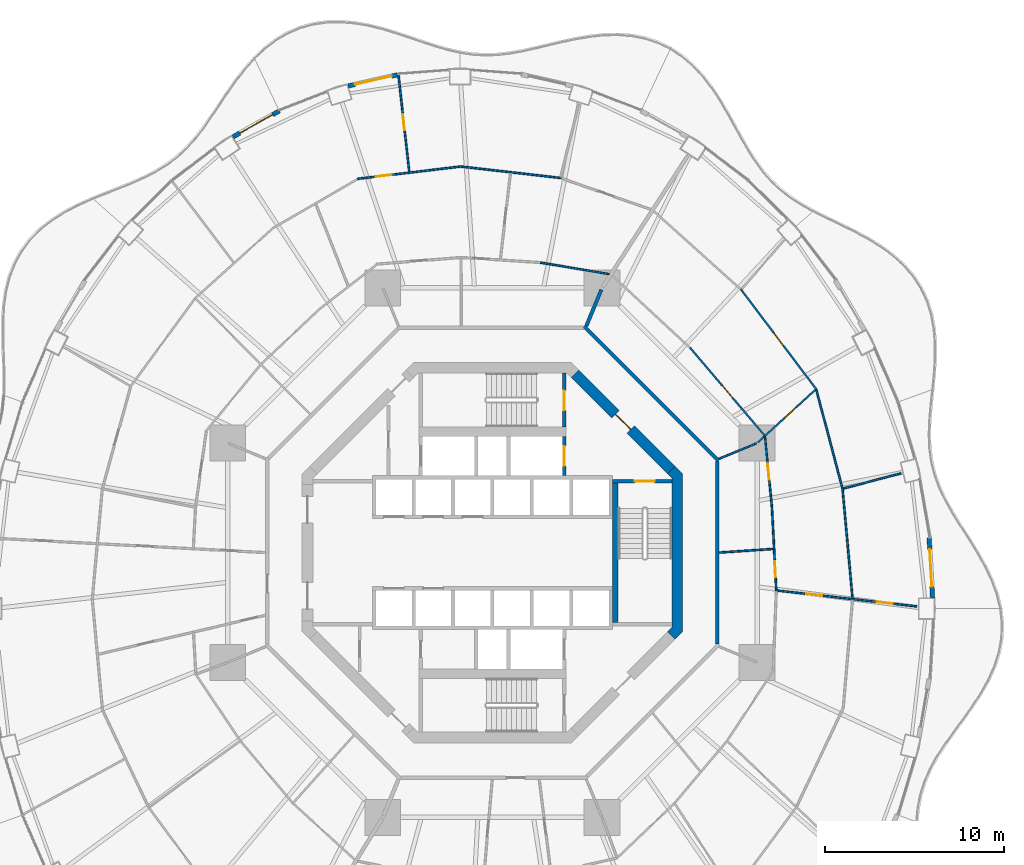
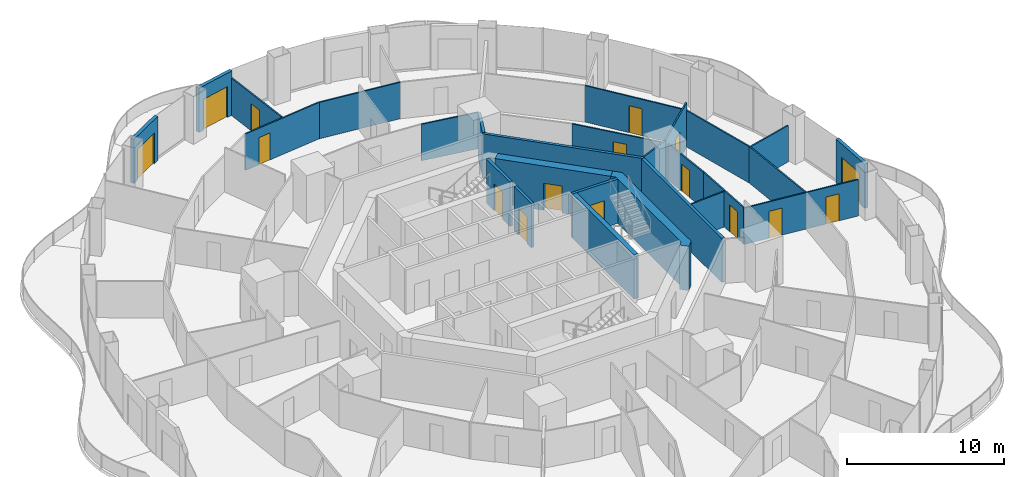
# One storey, part 15 of 19: 27 walls, 16 doors, 16 openings.
"""IFC4 building model written with IfcOpenShell, lengths in metres."""

from ifc_helpers import new_model, si_unit, direction, frame, frame_2d, origin, place, context, subcontext, project, spatial, polyline, rectangle, outline, extrude, material, layer, layer_set, type_object, element, fill, save


model = new_model("IFC4")

# Units and contexts
model_context = context("Model", 3, precision=1e-05, world=origin(), true_north=direction((0.0, 1.0)))
body_context = subcontext(model_context, "Body", "Model", "MODEL_VIEW")
ifc_project = project(units=[si_unit("LENGTHUNIT", "METRE"), si_unit("AREAUNIT", "SQUARE_METRE"), si_unit("VOLUMEUNIT", "CUBIC_METRE"), si_unit("PLANEANGLEUNIT", "RADIAN"), si_unit("MASSUNIT", "GRAM", prefix="KILO")], contexts=[model_context])

# Site, building, storey
site_placement = place(None, origin())
site = spatial("IfcSite", under=ifc_project, at=site_placement, CompositionType="ELEMENT")
building_placement = place(site_placement, origin())
building = spatial("IfcBuilding", under=site, at=building_placement, Name="Nagisa Residences", CompositionType="ELEMENT")
storey_placement = place(building_placement, frame((0.0, 0.0, 149.199951171875)))
storey = spatial("IfcBuildingStorey", under=building, at=storey_placement, Name="L37", CompositionType="ELEMENT", Elevation=149.199951171875)

# Walls
ifc_material_1 = material(Name="Gypsum board on steel studs", Category="steel")
ifc_layer_1 = layer(ifc_material_1, 0.199951171875)
ifc_layer_set_1 = layer_set([ifc_layer_1], Name="Apartment compartment wall EI60 200")
wall_type_1 = type_object("IfcWallType", Name="Apartment compartment wall EI60 200", PredefinedType="PARTITIONING", material=ifc_layer_set_1)
wall_1_placement = place(storey_placement, frame((5.24267578125, 12.6572265625, 0.0), z_axis=(0.0, 0.0, 1.0), x_axis=(0.38273085373, 0.923859888513, 0.0)))
element("IfcWall", 1, at=wall_1_placement, inside=storey, type_object=wall_type_1, Name="wall:L37:u00", PredefinedType="PARTITIONING", context=body_context, shape_type="SweptSolid", body=[
    extrude(rectangle(XDim=2.199462890625, YDim=0.199951171875, at=frame_2d((1.099609375, 0.0))), origin(), (0.0, 0.0, 1.0), 3.43994140625),
])
ifc_material_2 = material(Name="Gypsum board on steel studs", Category="steel")
ifc_layer_2 = layer(ifc_material_2, 0.199951171875)
ifc_layer_set_2 = layer_set([ifc_layer_2], Name="Apartment entry wall EI60 200")
wall_type_2 = type_object("IfcWallType", Name="Apartment entry wall EI60 200", PredefinedType="PARTITIONING", material=ifc_layer_set_2)
wall_2_placement = place(storey_placement, frame((12.564697265625, -5.1044921875, 0.0), z_axis=(0.0, 0.0, 1.0), x_axis=(0.0, 1.0, 0.0)))
element("IfcWall", 2, at=wall_2_placement, inside=storey, type_object=wall_type_2, Name="wall:L37:u04", PredefinedType="PARTITIONING", context=body_context, shape_type="SweptSolid", body=[
    extrude(rectangle(XDim=10.208984375, YDim=0.199951171875, at=frame_2d((5.1044921875, 0.0))), origin(), (0.0, 0.0, 1.0), 3.43994140625),
])
wall_3_placement = place(storey_placement, frame((12.635498046875, 5.1337890625, 0.0), z_axis=(0.0, 0.0, 1.0), x_axis=(-0.707106781187, 0.707106781187, 0.0)))
element("IfcWall", 3, at=wall_3_placement, inside=storey, type_object=wall_type_2, Name="wall:L37:u05", PredefinedType="PARTITIONING", context=body_context, shape_type="SweptSolid", body=[
    extrude(rectangle(XDim=10.609130859375, YDim=0.199951171875, at=frame_2d((5.3046875, 0.0))), origin(), (0.0, 0.0, 1.0), 3.43994140625),
])

# Wall, openings, doors
ifc_material_3 = material(Name="Gypsum board on steel studs", Category="steel")
ifc_layer_3 = layer(ifc_material_3, 0.10009765625)
ifc_layer_set_3 = layer_set([ifc_layer_3], Name="Apartment partition 100")
wall_type_3 = type_object("IfcWallType", Name="Apartment partition 100", PredefinedType="PARTITIONING", material=ifc_layer_set_3)
wall_4_placement = place(storey_placement, frame((15.801025390625, -2.1025390625, 0.0), z_axis=(0.0, 0.0, 1.0), x_axis=(0.993607212763, -0.112892456544, 0.0)))
wall_4 = element("IfcWall", 4, at=wall_4_placement, inside=storey, type_object=wall_type_3, Name="wall:L37:u12", PredefinedType="PARTITIONING", context=body_context, shape_type="SweptSolid", body=[
    extrude(rectangle(XDim=7.947509765625, YDim=0.10009765625, at=frame_2d((3.9736328125, 0.0))), origin(), (0.0, 0.0, 1.0), 2.828125),
])
opening_1_placement = place(wall_4_placement, frame((1.743408203125, 0.0, 0.0)))
opening_1 = element("IfcOpeningElement", 5, at=opening_1_placement, cuts=wall_4, Name="Opening L37-U09", PredefinedType="OPENING", context=body_context, shape_type="SweptSolid", body=[
    extrude(rectangle(XDim=0.89990234375, YDim=2.10009765625, at=frame_2d((0.449951171875, 1.050048828125))), frame((0.0, 0.06005859375, 0.0), z_axis=(0.0, -1.0, 0.0), x_axis=(1.0, 0.0, 0.0)), (0.0, 0.0, 1.0), 0.1201171875),
])
opening_2_placement = place(wall_4_placement, frame((5.6923828125, 0.0, 0.0)))
opening_2 = element("IfcOpeningElement", 6, at=opening_2_placement, cuts=wall_4, Name="Opening L37-U17", PredefinedType="OPENING", context=body_context, shape_type="SweptSolid", body=[
    extrude(rectangle(XDim=0.89990234375, YDim=2.10009765625, at=frame_2d((0.449951171875, 1.050048828125))), frame((0.0, 0.06005859375, 0.0), z_axis=(0.0, -1.0, 0.0), x_axis=(1.0, 0.0, 0.0)), (0.0, 0.0, 1.0), 0.1201171875),
])
ifc_material_4 = material(Name="Timber door set", Category="wood")
door_type_1 = type_object("IfcDoorType", Name="Apartment door 900x2100", OperationType="NOTDEFINED", PredefinedType="DOOR", material=ifc_material_4)
door_1_placement = place(opening_1_placement, origin())
door_1 = element("IfcDoor", 7, at=door_1_placement, inside=storey, type_object=door_type_1, Name="Door to kitchen, Apartment 37A", OperationType="SINGLE_SWING_LEFT", OverallHeight=2.10009765625, OverallWidth=0.89990234375, PredefinedType="DOOR", context=body_context, shape_type="SweptSolid", body=[
    extrude(rectangle(XDim=0.89990234375, YDim=2.10009765625, at=frame_2d((0.449951171875, 1.050048828125))), frame((0.0, 0.02490234375, 0.0), z_axis=(0.0, -1.0, 0.0), x_axis=(1.0, 0.0, 0.0)), (0.0, 0.0, 1.0), 0.050048828125),
])
fill(opening_1, door_1)
door_2_placement = place(opening_2_placement, origin())
door_2 = element("IfcDoor", 8, at=door_2_placement, inside=storey, type_object=door_type_1, Name="Door to bedroom, Apartment 37A", OperationType="SINGLE_SWING_LEFT", OverallHeight=2.10009765625, OverallWidth=0.89990234375, PredefinedType="DOOR", context=body_context, shape_type="SweptSolid", body=[
    extrude(rectangle(XDim=0.89990234375, YDim=2.10009765625, at=frame_2d((0.449951171875, 1.050048828125))), frame((0.0, 0.02490234375, 0.0), z_axis=(0.0, -1.0, 0.0), x_axis=(1.0, 0.0, 0.0)), (0.0, 0.0, 1.0), 0.050048828125),
])
fill(opening_2, door_2)

# Wall, opening, door
wall_5_placement = place(storey_placement, frame((15.84814453125, -2.058349609375, 0.0), z_axis=(0.0, 0.0, 1.0), x_axis=(-0.052509224895, 0.998620439056, 0.0)))
wall_5 = element("IfcWall", 9, at=wall_5_placement, inside=storey, type_object=wall_type_3, Name="wall:L37:u13", PredefinedType="PARTITIONING", context=body_context, shape_type="SweptSolid", body=[
    extrude(rectangle(XDim=4.6494140625, YDim=0.10009765625, at=frame_2d((2.32470703125, 0.0))), origin(), (0.0, 0.0, 1.0), 2.828125),
])
opening_3_placement = place(wall_5_placement, frame((0.687255859375, 0.0, 0.0)))
opening_3 = element("IfcOpeningElement", 10, at=opening_3_placement, cuts=wall_5, Name="Opening L37-U22", PredefinedType="OPENING", context=body_context, shape_type="SweptSolid", body=[
    extrude(rectangle(XDim=0.89990234375, YDim=2.10009765625, at=frame_2d((0.449951171875, 1.050048828125))), frame((0.0, 0.06005859375, 0.0), z_axis=(0.0, -1.0, 0.0), x_axis=(1.0, 0.0, 0.0)), (0.0, 0.0, 1.0), 0.1201171875),
])
door_3_placement = place(opening_3_placement, origin())
door_3 = element("IfcDoor", 11, at=door_3_placement, inside=storey, type_object=door_type_1, Name="Door to laundry, Apartment 37A", OperationType="SINGLE_SWING_RIGHT", OverallHeight=2.10009765625, OverallWidth=0.89990234375, PredefinedType="DOOR", context=body_context, shape_type="SweptSolid", body=[
    extrude(rectangle(XDim=0.89990234375, YDim=2.10009765625, at=frame_2d((0.449951171875, 1.050048828125))), frame((0.0, 0.02490234375, 0.0), z_axis=(0.0, -1.0, 0.0), x_axis=(1.0, 0.0, 0.0)), (0.0, 0.0, 1.0), 0.050048828125),
])
fill(opening_3, door_3)

# Walls
wall_6_placement = place(storey_placement, frame((20.105712890625, -2.54248046875, 0.0), z_axis=(0.0, 0.0, 1.0), x_axis=(-0.090567755363, 0.995890296011, 0.0)))
element("IfcWall", 12, at=wall_6_placement, inside=storey, type_object=wall_type_3, Name="wall:L37:u15", PredefinedType="PARTITIONING", context=body_context, shape_type="SweptSolid", body=[
    extrude(rectangle(XDim=6.189208984375, YDim=0.10009765625, at=frame_2d((3.0947265625, 0.0))), origin(), (0.0, 0.0, 1.0), 2.828125),
])
wall_7_placement = place(storey_placement, frame((12.66455078125, 0.0068359375, 0.0), z_axis=(0.0, 0.0, 1.0), x_axis=(0.997736982365, 0.067237742534, 0.0)))
element("IfcWall", 13, at=wall_7_placement, inside=storey, type_object=wall_type_3, Name="wall:L37:u17", PredefinedType="PARTITIONING", context=body_context, shape_type="SweptSolid", body=[
    extrude(rectangle(XDim=3.02099609375, YDim=0.10009765625, at=frame_2d((1.510498046875, 0.0))), origin(), (0.0, 0.0, 1.0), 2.756103515625),
])

# Wall, opening, door
wall_8_placement = place(storey_placement, frame((15.601806640625, 2.58447265625, 0.0), z_axis=(0.0, 0.0, 1.0), x_axis=(-0.097207196705, 0.995264166394, 0.0)))
wall_8 = element("IfcWall", 14, at=wall_8_placement, inside=storey, type_object=wall_type_3, Name="wall:L37:u18", PredefinedType="PARTITIONING", context=body_context, shape_type="SweptSolid", body=[
    extrude(rectangle(XDim=3.905517578125, YDim=0.10009765625, at=frame_2d((1.95263671875, 0.0))), origin(), (0.0, 0.0, 1.0), 2.828125),
])
opening_4_placement = place(wall_8_placement, frame((1.502685546875, 0.0, 0.0)))
opening_4 = element("IfcOpeningElement", 15, at=opening_4_placement, cuts=wall_8, Name="Opening L37-U23", PredefinedType="OPENING", context=body_context, shape_type="SweptSolid", body=[
    extrude(rectangle(XDim=0.89990234375, YDim=2.10009765625, at=frame_2d((0.449951171875, 1.050048828125))), frame((0.0, 0.06005859375, 0.0), z_axis=(0.0, -1.0, 0.0), x_axis=(1.0, 0.0, 0.0)), (0.0, 0.0, 1.0), 0.1201171875),
])
door_4_placement = place(opening_4_placement, origin())
door_4 = element("IfcDoor", 16, at=door_4_placement, inside=storey, type_object=door_type_1, Name="Door to store, Apartment 37A", OperationType="SINGLE_SWING_LEFT", OverallHeight=2.10009765625, OverallWidth=0.89990234375, PredefinedType="DOOR", context=body_context, shape_type="SweptSolid", body=[
    extrude(rectangle(XDim=0.89990234375, YDim=2.10009765625, at=frame_2d((0.449951171875, 1.050048828125))), frame((0.0, 0.02490234375, 0.0), z_axis=(0.0, -1.0, 0.0), x_axis=(1.0, 0.0, 0.0)), (0.0, 0.0, 1.0), 0.050048828125),
])
fill(opening_4, door_4)

# Walls
wall_9_placement = place(storey_placement, frame((19.59814453125, 3.584228515625, 0.0), z_axis=(0.0, 0.0, 1.0), x_axis=(0.967108750962, 0.254363251695, 0.0)))
element("IfcWall", 17, at=wall_9_placement, inside=storey, type_object=wall_type_3, Name="wall:L37:u19", PredefinedType="PARTITIONING", context=body_context, shape_type="SweptSolid", body=[
    extrude(rectangle(XDim=3.32666015625, YDim=0.10009765625, at=frame_2d((1.663330078125, 0.0))), origin(), (0.0, 0.0, 1.0), 2.828125),
])
wall_10_placement = place(storey_placement, frame((19.536865234375, 3.619873046875, 0.0), z_axis=(0.0, 0.0, 1.0), x_axis=(-0.255892560316, 0.966705227862, 0.0)))
element("IfcWall", 18, at=wall_10_placement, inside=storey, type_object=wall_type_3, Name="wall:L37:u20", PredefinedType="PARTITIONING", context=body_context, shape_type="SweptSolid", body=[
    extrude(rectangle(XDim=5.65869140625, YDim=0.10009765625, at=frame_2d((2.829345703125, 0.0))), origin(), (0.0, 0.0, 1.0), 2.828125),
])
wall_11_placement = place(storey_placement, frame((12.6572265625, 5.24267578125, 0.0), z_axis=(0.0, 0.0, 1.0), x_axis=(0.923848837015, 0.382757529444, 0.0)))
element("IfcWall", 19, at=wall_11_placement, inside=storey, type_object=wall_type_3, Name="wall:L37:u21", PredefinedType="PARTITIONING", context=body_context, shape_type="SweptSolid", body=[
    extrude(rectangle(XDim=2.249755859375, YDim=0.10009765625, at=frame_2d((1.125, 0.0))), origin(), (0.0, 0.0, 1.0), 3.43994140625),
])

# Wall, opening, door
wall_12_placement = place(storey_placement, frame((14.81884765625, 6.15673828125, 0.0), z_axis=(0.0, 0.0, 1.0), x_axis=(0.737620514432, 0.675215503887, 0.0)))
wall_12 = element("IfcWall", 20, at=wall_12_placement, inside=storey, type_object=wall_type_3, Name="wall:L37:u22", PredefinedType="PARTITIONING", context=body_context, shape_type="SweptSolid", body=[
    extrude(rectangle(XDim=4.365966796875, YDim=0.10009765625, at=frame_2d((2.18310546875, 0.0))), origin(), (0.0, 0.0, 1.0), 3.43994140625),
])
opening_5_placement = place(wall_12_placement, frame((2.0029296875, 0.0, 0.0)))
opening_5 = element("IfcOpeningElement", 21, at=opening_5_placement, cuts=wall_12, Name="Opening L37-U10", PredefinedType="OPENING", context=body_context, shape_type="SweptSolid", body=[
    extrude(rectangle(XDim=0.89990234375, YDim=2.10009765625, at=frame_2d((0.449951171875, 1.050048828125))), frame((0.0, 0.06005859375, 0.0), z_axis=(0.0, -1.0, 0.0), x_axis=(1.0, 0.0, 0.0)), (0.0, 0.0, 1.0), 0.1201171875),
])
door_5_placement = place(opening_5_placement, origin())
door_5 = element("IfcDoor", 22, at=door_5_placement, inside=storey, type_object=door_type_1, Name="Door to family room, Apartment 37A", OperationType="SINGLE_SWING_RIGHT", OverallHeight=2.10009765625, OverallWidth=0.89990234375, PredefinedType="DOOR", context=body_context, shape_type="SweptSolid", body=[
    extrude(rectangle(XDim=0.89990234375, YDim=2.10009765625, at=frame_2d((0.449951171875, 1.050048828125))), frame((0.0, 0.02490234375, 0.0), z_axis=(0.0, -1.0, 0.0), x_axis=(1.0, 0.0, 0.0)), (0.0, 0.0, 1.0), 0.050048828125),
])
fill(opening_5, door_5)

wall_13_placement = place(storey_placement, frame((15.184814453125, 6.559326171875, 0.0), z_axis=(0.0, 0.0, 1.0), x_axis=(-0.647361044962, 0.762183493304, 0.0)))
wall_13 = element("IfcWall", 23, at=wall_13_placement, inside=storey, type_object=wall_type_3, Name="wall:L37:u23", PredefinedType="PARTITIONING", context=body_context, shape_type="SweptSolid", body=[
    extrude(rectangle(XDim=6.412841796875, YDim=0.10009765625, at=frame_2d((3.20654296875, 0.0))), origin(), (0.0, 0.0, 1.0), 2.828125),
])
opening_6_placement = place(wall_13_placement, frame((2.731201171875, 0.0, 0.0)))
opening_6 = element("IfcOpeningElement", 24, at=opening_6_placement, cuts=wall_13, Name="Opening L37-U24", PredefinedType="OPENING", context=body_context, shape_type="SweptSolid", body=[
    extrude(rectangle(XDim=0.89990234375, YDim=2.10009765625, at=frame_2d((0.449951171875, 1.050048828125))), frame((0.0, 0.06005859375, 0.0), z_axis=(0.0, -1.0, 0.0), x_axis=(1.0, 0.0, 0.0)), (0.0, 0.0, 1.0), 0.1201171875),
])
door_6_placement = place(opening_6_placement, origin())
door_6 = element("IfcDoor", 25, at=door_6_placement, inside=storey, type_object=door_type_1, Name="Door to laundry, Apartment 37A", OperationType="SINGLE_SWING_RIGHT", OverallHeight=2.10009765625, OverallWidth=0.89990234375, PredefinedType="DOOR", context=body_context, shape_type="SweptSolid", body=[
    extrude(rectangle(XDim=0.89990234375, YDim=2.10009765625, at=frame_2d((0.449951171875, 1.050048828125))), frame((0.0, 0.02490234375, 0.0), z_axis=(0.0, -1.0, 0.0), x_axis=(1.0, 0.0, 0.0)), (0.0, 0.0, 1.0), 0.050048828125),
])
fill(opening_6, door_6)

wall_14_placement = place(storey_placement, frame((18.106201171875, 9.098388671875, 0.0), z_axis=(0.0, 0.0, 1.0), x_axis=(-0.602398572907, 0.798195439325, 0.0)))
wall_14 = element("IfcWall", 26, at=wall_14_placement, inside=storey, type_object=wall_type_3, Name="wall:L37:u24", PredefinedType="PARTITIONING", context=body_context, shape_type="SweptSolid", body=[
    extrude(rectangle(XDim=7.043701171875, YDim=0.10009765625, at=frame_2d((3.52197265625, 0.0))), origin(), (0.0, 0.0, 1.0), 2.828125),
])
opening_7_placement = place(wall_14_placement, frame((3.072021484375, 0.0, 0.0)))
opening_7 = element("IfcOpeningElement", 27, at=opening_7_placement, cuts=wall_14, Name="Opening L37-U18", PredefinedType="OPENING", context=body_context, shape_type="SweptSolid", body=[
    extrude(rectangle(XDim=0.89990234375, YDim=2.10009765625, at=frame_2d((0.449951171875, 1.050048828125))), frame((0.0, 0.06005859375, 0.0), z_axis=(0.0, -1.0, 0.0), x_axis=(1.0, 0.0, 0.0)), (0.0, 0.0, 1.0), 0.1201171875),
])
door_7_placement = place(opening_7_placement, frame((0.89990234375, 0.0, 0.0), x_axis=(-1.0, 0.0, 0.0)))
door_7 = element("IfcDoor", 28, at=door_7_placement, inside=storey, type_object=door_type_1, Name="Door to living room, Apartment 37A", OperationType="SINGLE_SWING_LEFT", OverallHeight=2.10009765625, OverallWidth=0.89990234375, PredefinedType="DOOR", context=body_context, shape_type="SweptSolid", body=[
    extrude(rectangle(XDim=0.89990234375, YDim=2.10009765625, at=frame_2d((0.449951171875, 1.050048828125))), frame((0.0, 0.02490234375, 0.0), z_axis=(0.0, -1.0, 0.0), x_axis=(1.0, 0.0, 0.0)), (0.0, 0.0, 1.0), 0.050048828125),
])
fill(opening_7, door_7)

# Walls
wall_15_placement = place(storey_placement, frame((6.5146484375, 15.5556640625, 0.0), z_axis=(0.0, 0.0, 1.0), x_axis=(-0.986271328884, 0.16513287323, 0.0)))
element("IfcWall", 29, at=wall_15_placement, inside=storey, type_object=wall_type_3, Name="wall:L37:u28", PredefinedType="PARTITIONING", context=body_context, shape_type="SweptSolid", body=[
    extrude(rectangle(XDim=3.8837890625, YDim=0.10009765625, at=frame_2d((1.94189453125, 0.0))), origin(), (0.0, 0.0, 1.0), 2.828125),
])
wall_16_placement = place(storey_placement, frame((3.850830078125, 20.9189453125, 0.0), z_axis=(0.0, 0.0, 1.0), x_axis=(-0.993519908136, 0.11365822512, 0.0)))
element("IfcWall", 30, at=wall_16_placement, inside=storey, type_object=wall_type_3, Name="wall:L37:u32", PredefinedType="PARTITIONING", context=body_context, shape_type="SweptSolid", body=[
    extrude(rectangle(XDim=5.61279296875, YDim=0.10009765625, at=frame_2d((2.806396484375, 0.0))), origin(), (0.0, 0.0, 1.0), 2.828125),
])

# Wall, opening, door
wall_17_placement = place(storey_placement, frame((-1.7255859375, 21.568359375, 0.0), z_axis=(0.0, 0.0, 1.0), x_axis=(-0.992919121049, -0.11879233584, 0.0)))
wall_17 = element("IfcWall", 31, at=wall_17_placement, inside=storey, type_object=wall_type_3, Name="wall:L37:u36", PredefinedType="PARTITIONING", context=body_context, shape_type="SweptSolid", body=[
    extrude(rectangle(XDim=5.865478515625, YDim=0.10009765625, at=frame_2d((2.9326171875, 0.0))), origin(), (0.0, 0.0, 1.0), 2.828125),
])
opening_8_placement = place(wall_17_placement, frame((3.924072265625, 0.0, 0.0)))
opening_8 = element("IfcOpeningElement", 32, at=opening_8_placement, cuts=wall_17, Name="Opening L37-U43", PredefinedType="OPENING", context=body_context, shape_type="SweptSolid", body=[
    extrude(rectangle(XDim=0.89990234375, YDim=2.10009765625, at=frame_2d((0.449951171875, 1.050048828125))), frame((0.0, 0.06005859375, 0.0), z_axis=(0.0, -1.0, 0.0), x_axis=(1.0, 0.0, 0.0)), (0.0, 0.0, 1.0), 0.1201171875),
])
door_8_placement = place(opening_8_placement, origin())
door_8 = element("IfcDoor", 33, at=door_8_placement, inside=storey, type_object=door_type_1, Name="Door to family room, Apartment 37B", OperationType="SINGLE_SWING_LEFT", OverallHeight=2.10009765625, OverallWidth=0.89990234375, PredefinedType="DOOR", context=body_context, shape_type="SweptSolid", body=[
    extrude(rectangle(XDim=0.89990234375, YDim=2.10009765625, at=frame_2d((0.449951171875, 1.050048828125))), frame((0.0, 0.02490234375, 0.0), z_axis=(0.0, -1.0, 0.0), x_axis=(1.0, 0.0, 0.0)), (0.0, 0.0, 1.0), 0.050048828125),
])
fill(opening_8, door_8)

wall_18_placement = place(storey_placement, frame((-4.64306640625, 21.269775390625, 0.0), z_axis=(0.0, 0.0, 1.0), x_axis=(-0.11110818383, 0.993808317276, 0.0)))
wall_18 = element("IfcWall", 34, at=wall_18_placement, inside=storey, type_object=wall_type_3, Name="wall:L37:u37", PredefinedType="PARTITIONING", context=body_context, shape_type="SweptSolid", body=[
    extrude(rectangle(XDim=5.5439453125, YDim=0.10009765625, at=frame_2d((2.77197265625, 0.0))), origin(), (0.0, 0.0, 1.0), 2.905029296875),
])
opening_9_placement = place(wall_18_placement, frame((2.322021484375, 0.0, 0.0)))
opening_9 = element("IfcOpeningElement", 35, at=opening_9_placement, cuts=wall_18, Name="Opening L37-U44", PredefinedType="OPENING", context=body_context, shape_type="SweptSolid", body=[
    extrude(rectangle(XDim=0.89990234375, YDim=2.10009765625, at=frame_2d((0.449951171875, 1.050048828125))), frame((0.0, 0.06005859375, 0.0), z_axis=(0.0, -1.0, 0.0), x_axis=(1.0, 0.0, 0.0)), (0.0, 0.0, 1.0), 0.1201171875),
])
door_9_placement = place(opening_9_placement, frame((0.89990234375, 0.0, 0.0), x_axis=(-1.0, 0.0, 0.0)))
door_9 = element("IfcDoor", 36, at=door_9_placement, inside=storey, type_object=door_type_1, Name="Door to master bedroom, Apartment 37B", OperationType="SINGLE_SWING_LEFT", OverallHeight=2.10009765625, OverallWidth=0.89990234375, PredefinedType="DOOR", context=body_context, shape_type="SweptSolid", body=[
    extrude(rectangle(XDim=0.89990234375, YDim=2.10009765625, at=frame_2d((0.449951171875, 1.050048828125))), frame((0.0, 0.02490234375, 0.0), z_axis=(0.0, -1.0, 0.0), x_axis=(1.0, 0.0, 0.0)), (0.0, 0.0, 1.0), 0.050048828125),
])
fill(opening_9, door_9)

ifc_material_5 = material(Name="Precast concrete C40/50", Category="concrete")
ifc_layer_4 = layer(ifc_material_5, 0.25)
ifc_layer_set_4 = layer_set([ifc_layer_4], Name="BALCONY DOOR WALL 250")
wall_type_4 = type_object("IfcWallType", Name="BALCONY DOOR WALL 250", PredefinedType="SOLIDWALL", material=ifc_layer_set_4)
wall_19_placement = place(storey_placement, frame((24.38330078125, 0.81640625, 0.0), z_axis=(0.0, 0.0, 1.0), x_axis=(0.05746514539, -0.998347513176, 0.0)))
wall_19 = element("IfcWall", 37, at=wall_19_placement, inside=storey, type_object=wall_type_4, Name="wall:L37:bay00", PredefinedType="SOLIDWALL", context=body_context, shape_type="SweptSolid", body=[
    extrude(rectangle(XDim=3.347900390625, YDim=0.25, at=frame_2d((1.673828125, 0.0))), origin(), (0.0, 0.0, 1.0), 3.43994140625),
])
opening_10_placement = place(wall_19_placement, frame((0.623779296875, 0.0, 0.0)))
opening_10 = element("IfcOpeningElement", 38, at=opening_10_placement, cuts=wall_19, Name="Opening BD-L37-01", PredefinedType="OPENING", context=body_context, shape_type="SweptSolid", body=[
    extrude(rectangle(XDim=2.10009765625, YDim=2.39990234375, at=frame_2d((1.050048828125, 1.199951171875))), frame((0.0, 0.135009765625, 0.0), z_axis=(0.0, -1.0, 0.0), x_axis=(1.0, 0.0, 0.0)), (0.0, 0.0, 1.0), 0.27001953125),
])
ifc_material_6 = material(Name="Aluminium and clear glass", Category="aluminium")
door_type_2 = type_object("IfcDoorType", Name="BALCONY SLIDING DOOR 2100x2400", OperationType="SLIDING_TO_LEFT", PredefinedType="DOOR", material=ifc_material_6)
door_10_placement = place(opening_10_placement, origin())
door_10 = element("IfcDoor", 39, at=door_10_placement, inside=storey, type_object=door_type_2, Name="door:L37:bay00", OperationType="SLIDING_TO_LEFT", OverallHeight=2.39990234375, OverallWidth=2.10009765625, PredefinedType="DOOR", context=body_context, shape_type="SweptSolid", body=[
    extrude(rectangle(XDim=2.10009765625, YDim=2.39990234375, at=frame_2d((1.050048828125, 1.199951171875))), frame((0.0, 0.02490234375, 0.0), z_axis=(0.0, -1.0, 0.0), x_axis=(1.0, 0.0, 0.0)), (0.0, 0.0, 1.0), 0.050048828125),
])
fill(opening_10, door_10)

wall_20_placement = place(storey_placement, frame((-8.054931640625, 26.05908203125, 0.0), z_axis=(0.0, 0.0, 1.0), x_axis=(0.975339035722, 0.220711951186, 0.0)))
wall_20 = element("IfcWall", 40, at=wall_20_placement, inside=storey, type_object=wall_type_4, Name="wall:L37:bay13", PredefinedType="SOLIDWALL", context=body_context, shape_type="SweptSolid", body=[
    extrude(rectangle(XDim=2.890380859375, YDim=0.25, at=frame_2d((1.4453125, 0.0))), origin(), (0.0, 0.0, 1.0), 3.43994140625),
])
opening_11_placement = place(wall_20_placement, frame((0.395263671875, 0.0, 0.0)))
opening_11 = element("IfcOpeningElement", 41, at=opening_11_placement, cuts=wall_20, Name="Opening BD-L37-05", PredefinedType="OPENING", context=body_context, shape_type="SweptSolid", body=[
    extrude(rectangle(XDim=2.10009765625, YDim=2.39990234375, at=frame_2d((1.050048828125, 1.199951171875))), frame((0.0, 0.135009765625, 0.0), z_axis=(0.0, -1.0, 0.0), x_axis=(1.0, 0.0, 0.0)), (0.0, 0.0, 1.0), 0.27001953125),
])
door_11_placement = place(opening_11_placement, origin())
door_11 = element("IfcDoor", 42, at=door_11_placement, inside=storey, type_object=door_type_2, Name="door:L37:bay13", OperationType="SLIDING_TO_LEFT", OverallHeight=2.39990234375, OverallWidth=2.10009765625, PredefinedType="DOOR", context=body_context, shape_type="SweptSolid", body=[
    extrude(rectangle(XDim=2.10009765625, YDim=2.39990234375, at=frame_2d((1.050048828125, 1.199951171875))), frame((0.0, 0.02490234375, 0.0), z_axis=(0.0, -1.0, 0.0), x_axis=(1.0, 0.0, 0.0)), (0.0, 0.0, 1.0), 0.050048828125),
])
fill(opening_11, door_11)

wall_21_placement = place(storey_placement, frame((-14.483154296875, 23.216552734375, 0.0), z_axis=(0.0, 0.0, 1.0), x_axis=(0.87206688547, 0.489386705241, 0.0)))
wall_21 = element("IfcWall", 43, at=wall_21_placement, inside=storey, type_object=wall_type_4, Name="wall:L37:bay15", PredefinedType="SOLIDWALL", context=body_context, shape_type="SweptSolid", body=[
    extrude(rectangle(XDim=2.9697265625, YDim=0.25, at=frame_2d((1.48486328125, 0.0))), origin(), (0.0, 0.0, 1.0), 3.43994140625),
])
opening_12_placement = place(wall_21_placement, frame((0.434814453125, 0.0, 0.0)))
opening_12 = element("IfcOpeningElement", 44, at=opening_12_placement, cuts=wall_21, Name="Opening BD-L37-06", PredefinedType="OPENING", context=body_context, shape_type="SweptSolid", body=[
    extrude(rectangle(XDim=2.10009765625, YDim=2.39990234375, at=frame_2d((1.050048828125, 1.199951171875))), frame((0.0, 0.135009765625, 0.0), z_axis=(0.0, -1.0, 0.0), x_axis=(1.0, 0.0, 0.0)), (0.0, 0.0, 1.0), 0.27001953125),
])
door_12_placement = place(opening_12_placement, origin())
door_12 = element("IfcDoor", 45, at=door_12_placement, inside=storey, type_object=door_type_2, Name="door:L37:bay15", OperationType="SLIDING_TO_LEFT", OverallHeight=2.39990234375, OverallWidth=2.10009765625, PredefinedType="DOOR", context=body_context, shape_type="SweptSolid", body=[
    extrude(rectangle(XDim=2.10009765625, YDim=2.39990234375, at=frame_2d((1.050048828125, 1.199951171875))), frame((0.0, 0.02490234375, 0.0), z_axis=(0.0, -1.0, 0.0), x_axis=(1.0, 0.0, 0.0)), (0.0, 0.0, 1.0), 0.050048828125),
])
fill(opening_12, door_12)

ifc_material_7 = material(Name="Concrete C60", Category="concrete")
ifc_layer_5 = layer(ifc_material_7, 0.60009765625)
ifc_layer_set_5 = layer_set([ifc_layer_5], Name="Core shear wall 600")
wall_type_5 = type_object("IfcWallType", Name="Core shear wall 600", PredefinedType="SHEAR", material=ifc_layer_set_5)
wall_22_placement = place(storey_placement, frame((9.98828125, 4.613037109375, 0.0), z_axis=(0.0, 0.0, 1.0), x_axis=(-0.707106781187, 0.707106781187, 0.0)))
wall_22 = element("IfcWall", 46, at=wall_22_placement, inside=storey, type_object=wall_type_5, Name="wall:L37:core:flat1", PredefinedType="SHEAR", context=body_context, shape_type="SweptSolid", body=[
    extrude(rectangle(XDim=7.601806640625, YDim=0.60009765625, at=frame_2d((3.80078125, 0.0))), origin(), (0.0, 0.0, 1.0), 3.43994140625),
])
opening_13_placement = place(wall_22_placement, frame((3.200927734375, 0.0, 0.0)))
opening_13 = element("IfcOpeningElement", 47, at=opening_13_placement, cuts=wall_22, Name="Opening L37-C15", PredefinedType="OPENING", context=body_context, shape_type="SweptSolid", body=[
    extrude(rectangle(XDim=1.199951171875, YDim=2.10009765625, at=frame_2d((0.60009765625, 1.050048828125))), frame((0.0, 0.31005859375, 0.0), z_axis=(0.0, -1.0, 0.0), x_axis=(1.0, 0.0, 0.0)), (0.0, 0.0, 1.0), 0.6201171875),
])
ifc_material_8 = material(Name="Steel fire door", Category="steel")
door_type_3 = type_object("IfcDoorType", Name="Fire door EI60 1200x2100 single swing", OperationType="NOTDEFINED", PredefinedType="DOOR", material=ifc_material_8)
door_13_placement = place(opening_13_placement, origin())
door_13 = element("IfcDoor", 48, at=door_13_placement, inside=storey, type_object=door_type_3, Name="Firefighting lobby 1 door L37", OperationType="SINGLE_SWING_LEFT", OverallHeight=2.10009765625, OverallWidth=1.199951171875, PredefinedType="DOOR", context=body_context, shape_type="SweptSolid", body=[
    extrude(rectangle(XDim=1.199951171875, YDim=2.10009765625, at=frame_2d((0.60009765625, 1.050048828125))), frame((0.0, 0.02490234375, 0.0), z_axis=(0.0, -1.0, 0.0), x_axis=(1.0, 0.0, 0.0)), (0.0, 0.0, 1.0), 0.050048828125),
])
fill(opening_13, door_13)

# Wall
wall_23_placement = place(storey_placement, origin())
element("IfcWall", 49, at=wall_23_placement, inside=storey, type_object=wall_type_5, Name="wall:L37:core:flat0", PredefinedType="SHEAR", context=body_context, shape_type="SweptSolid", body=[
    extrude(outline(polyline([(9.776123046875, -4.40087890625), (10.024658203125, -4.15234375), (10.024658203125, -3.801025390625), (10.024658203125, 4.15234375), (9.776123046875, 4.40087890625), (10.200439453125, 4.8251953125), (10.62451171875, 4.40087890625), (10.62451171875, -4.40087890625), (10.200439453125, -4.8251953125), (9.776123046875, -4.40087890625)])), origin(), (0.0, 0.0, 1.0), 3.43994140625),
])

# Wall, opening, door
ifc_material_9 = material(Name="Concrete C60", Category="concrete")
ifc_layer_6 = layer(ifc_material_9, 0.199951171875)
ifc_layer_set_6 = layer_set([ifc_layer_6], Name="Lift shaft wall 200")
wall_type_6 = type_object("IfcWallType", Name="Lift shaft wall 200", PredefinedType="SOLIDWALL", material=ifc_layer_set_6)
wall_24_placement = place(storey_placement, frame((4.0, 4.300048828125, 0.0), z_axis=(0.0, 0.0, 1.0), x_axis=(0.0, 1.0, 0.0)))
wall_24 = element("IfcWall", 50, at=wall_24_placement, inside=storey, type_object=wall_type_6, Name="wall:L37:Nb3", PredefinedType="SOLIDWALL", context=body_context, shape_type="SweptSolid", body=[
    extrude(rectangle(XDim=2.199951171875, YDim=0.199951171875, at=frame_2d((1.10009765625, 0.0))), origin(), (0.0, 0.0, 1.0), 3.43994140625),
])
opening_14_placement = place(wall_24_placement, frame((0.550048828125, 0.0, 0.0)))
opening_14 = element("IfcOpeningElement", 51, at=opening_14_placement, cuts=wall_24, Name="Opening L37-C06", PredefinedType="OPENING", context=body_context, shape_type="SweptSolid", body=[
    extrude(rectangle(XDim=1.10009765625, YDim=2.10009765625, at=frame_2d((0.550048828125, 1.050048828125))), frame((0.0, 0.10986328125, 0.0), z_axis=(0.0, -1.0, 0.0), x_axis=(1.0, 0.0, 0.0)), (0.0, 0.0, 1.0), 0.219970703125),
])
ifc_material_10 = material(Name="Stainless steel", Category="steel")
door_type_4 = type_object("IfcDoorType", Name="Lift landing door 1100x2100", OperationType="DOUBLE_DOOR_SLIDING", PredefinedType="DOOR", material=ifc_material_10)
door_14_placement = place(opening_14_placement, origin())
door_14 = element("IfcDoor", 52, at=door_14_placement, inside=storey, type_object=door_type_4, Name="Landing door FL1 L37", OperationType="DOUBLE_DOOR_SLIDING", OverallHeight=2.10009765625, OverallWidth=1.10009765625, PredefinedType="DOOR", context=body_context, shape_type="SweptSolid", body=[
    extrude(rectangle(XDim=1.10009765625, YDim=2.10009765625, at=frame_2d((0.550048828125, 1.050048828125))), frame((0.0, 0.02490234375, 0.0), z_axis=(0.0, -1.0, 0.0), x_axis=(1.0, 0.0, 0.0)), (0.0, 0.0, 1.0), 0.050048828125),
])
fill(opening_14, door_14)

ifc_material_11 = material(Name="Concrete C60", Category="concrete")
ifc_layer_7 = layer(ifc_material_11, 0.199951171875)
ifc_layer_set_7 = layer_set([ifc_layer_7], Name="Stair enclosure wall 200")
wall_type_7 = type_object("IfcWallType", Name="Stair enclosure wall 200", PredefinedType="SOLIDWALL", material=ifc_layer_set_7)
wall_25_placement = place(storey_placement, frame((6.699951171875, 4.0, 0.0), z_axis=(0.0, 0.0, 1.0), x_axis=(1.0, 0.0, 0.0)))
wall_25 = element("IfcWall", 53, at=wall_25_placement, inside=storey, type_object=wall_type_7, Name="wall:L37:SE_n", PredefinedType="SOLIDWALL", context=body_context, shape_type="SweptSolid", body=[
    extrude(rectangle(XDim=3.32470703125, YDim=0.199951171875, at=frame_2d((1.662353515625, 0.0))), origin(), (0.0, 0.0, 1.0), 3.43994140625),
])
opening_15_placement = place(wall_25_placement, frame((1.25, 0.0, 0.0)))
opening_15 = element("IfcOpeningElement", 54, at=opening_15_placement, cuts=wall_25, Name="Opening L37-C09", PredefinedType="OPENING", context=body_context, shape_type="SweptSolid", body=[
    extrude(rectangle(XDim=1.10009765625, YDim=2.10009765625, at=frame_2d((0.550048828125, 1.050048828125))), frame((0.0, 0.10986328125, 0.0), z_axis=(0.0, -1.0, 0.0), x_axis=(1.0, 0.0, 0.0)), (0.0, 0.0, 1.0), 0.219970703125),
])
ifc_material_12 = material(Name="Steel fire door", Category="steel")
door_type_5 = type_object("IfcDoorType", Name="Fire door EI90 1100x2100 single swing", OperationType="NOTDEFINED", PredefinedType="DOOR", material=ifc_material_12)
door_15_placement = place(opening_15_placement, frame((1.10009765625, 0.0, 0.0), x_axis=(-1.0, 0.0, 0.0)))
door_15 = element("IfcDoor", 55, at=door_15_placement, inside=storey, type_object=door_type_5, Name="Stair door ST-E L37", OperationType="SINGLE_SWING_LEFT", OverallHeight=2.10009765625, OverallWidth=1.10009765625, PredefinedType="DOOR", context=body_context, shape_type="SweptSolid", body=[
    extrude(rectangle(XDim=1.10009765625, YDim=2.10009765625, at=frame_2d((0.550048828125, 1.050048828125))), frame((0.0, 0.02490234375, 0.0), z_axis=(0.0, -1.0, 0.0), x_axis=(1.0, 0.0, 0.0)), (0.0, 0.0, 1.0), 0.050048828125),
])
fill(opening_15, door_15)

wall_26_placement = place(storey_placement, frame((4.0, 7.024658203125, 0.0), z_axis=(0.0, 0.0, 1.0), x_axis=(0.0, 1.0, 0.0)))
wall_26 = element("IfcWall", 56, at=wall_26_placement, inside=storey, type_object=wall_type_7, Name="wall:L37:SN_e", PredefinedType="SOLIDWALL", context=body_context, shape_type="SweptSolid", body=[
    extrude(rectangle(XDim=3.0, YDim=0.199951171875, at=frame_2d((1.5, 0.0))), origin(), (0.0, 0.0, 1.0), 3.43994140625),
])
opening_16_placement = place(wall_26_placement, frame((0.92529296875, 0.0, 0.0)))
opening_16 = element("IfcOpeningElement", 57, at=opening_16_placement, cuts=wall_26, Name="Opening L37-C10", PredefinedType="OPENING", context=body_context, shape_type="SweptSolid", body=[
    extrude(rectangle(XDim=1.10009765625, YDim=2.10009765625, at=frame_2d((0.550048828125, 1.050048828125))), frame((0.0, 0.10986328125, 0.0), z_axis=(0.0, -1.0, 0.0), x_axis=(1.0, 0.0, 0.0)), (0.0, 0.0, 1.0), 0.219970703125),
])
door_16_placement = place(opening_16_placement, origin())
door_16 = element("IfcDoor", 58, at=door_16_placement, inside=storey, type_object=door_type_5, Name="Stair door ST-N L37", OperationType="SINGLE_SWING_RIGHT", OverallHeight=2.10009765625, OverallWidth=1.10009765625, PredefinedType="DOOR", context=body_context, shape_type="SweptSolid", body=[
    extrude(rectangle(XDim=1.10009765625, YDim=2.10009765625, at=frame_2d((0.550048828125, 1.050048828125))), frame((0.0, 0.02490234375, 0.0), z_axis=(0.0, -1.0, 0.0), x_axis=(1.0, 0.0, 0.0)), (0.0, 0.0, 1.0), 0.050048828125),
])
fill(opening_16, door_16)

# Wall
wall_27_placement = place(storey_placement, origin())
element("IfcWall", 59, at=wall_27_placement, inside=storey, type_object=wall_type_7, Name="wall:L37:SE_w", PredefinedType="SOLIDWALL", context=body_context, shape_type="SweptSolid", body=[
    extrude(outline(polyline([(7.024658203125, -3.89990234375), (6.699951171875, -3.89990234375), (6.699951171875, 3.89990234375), (7.024658203125, 3.89990234375), (7.024658203125, -3.89990234375)])), origin(), (0.0, 0.0, 1.0), 3.43994140625),
])

save(model, "model.ifc")
